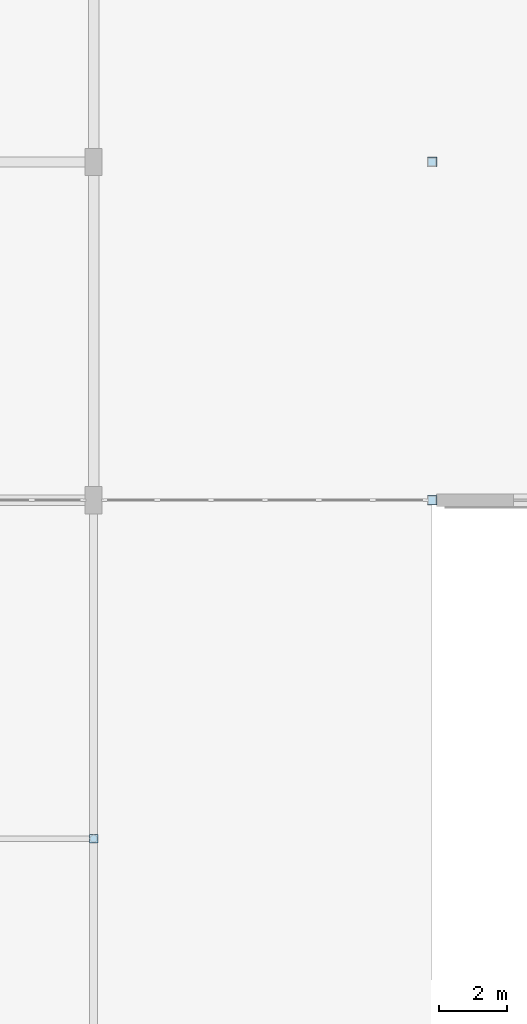
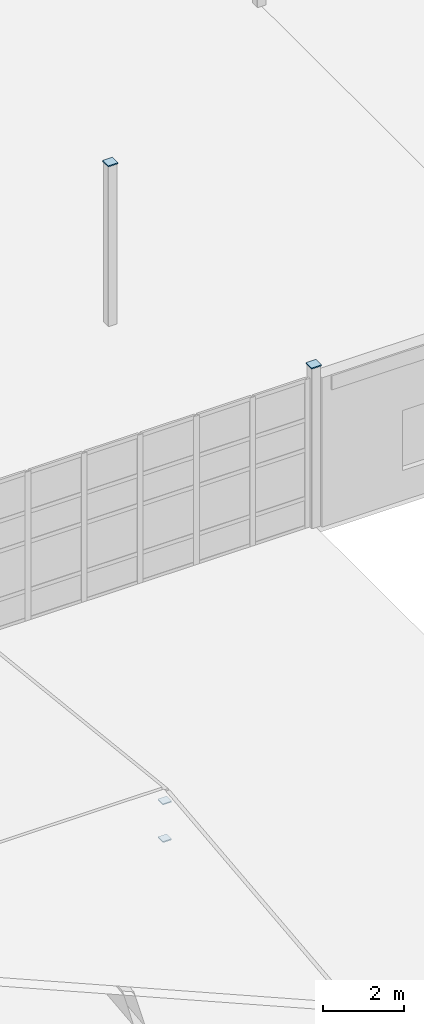
# One storey, part 107 of 139: 4 plates.
"""IFC4 building model written with IfcOpenShell, lengths in metres."""

from ifc_helpers import new_model, si_unit, direction, frame, origin, origin_2d, place, context, subcontext, project, spatial, rectangle, extrude, material, layer, layer_set, type_object, element, save


model = new_model("IFC4")

# Units and contexts
model_context = context("Model", 3, precision=1e-05, world=origin(), true_north=direction((0.0, 1.0)))
body_context = subcontext(model_context, "Body", "Model", "MODEL_VIEW")
ifc_project = project(units=[si_unit("LENGTHUNIT", "METRE"), si_unit("AREAUNIT", "SQUARE_METRE"), si_unit("VOLUMEUNIT", "CUBIC_METRE"), si_unit("PLANEANGLEUNIT", "RADIAN"), si_unit("MASSUNIT", "GRAM", prefix="KILO"), si_unit("THERMODYNAMICTEMPERATUREUNIT", "KELVIN"), si_unit("POWERUNIT", "WATT")], contexts=[model_context])

# Site, building, storey
site_placement = place(None, origin())
site = spatial("IfcSite", under=ifc_project, at=site_placement, CompositionType="ELEMENT")
building_placement = place(site_placement, origin())
building = spatial("IfcBuilding", under=site, at=building_placement, Name="Korenveer Ferry Terminal", CompositionType="ELEMENT")
storey_placement = place(building_placement, frame((0.0, 0.0, 5.39990234375)))
storey = spatial("IfcBuildingStorey", under=building, at=storey_placement, Name="L01", CompositionType="ELEMENT", Elevation=5.39990234375)

# Plates
ifc_material = material(Name="Steel S355", Category="steel")
ifc_layer = layer(ifc_material, 0.031982421875)
ifc_layer_set = layer_set([ifc_layer], Name="Steel S355")
plate_type = type_object("IfcPlateType", Name="STR-PLT-CAP32", PredefinedType="USERDEFINED", material=ifc_layer_set)
for number, where, z_axis, x_axis, name in (
    (1, (63.0, 20.0, 4.80029296875), (0.0, 0.0, 1.0), (1.0, 0.0, 0.0), "Hollow section end cap 48"),
    (2, (63.0, 30.0, 4.80029296875), (0.0, 0.0, 1.0), (1.0, 0.0, 0.0), "Hollow section end cap 49"),
):
    element("IfcPlate", number, at=place(storey_placement, frame(where, z_axis=z_axis, x_axis=x_axis)), inside=storey, type_object=plate_type, Name=name, ObjectType="END CAP PLATE", PredefinedType="USERDEFINED", context=body_context, shape_type="SweptSolid", body=[
        extrude(rectangle(XDim=0.280029296875, YDim=0.280029296875, at=origin_2d()), origin(), (0.0, 0.0, 1.0), 0.031982421875),
    ])
for number, where, z_axis, x_axis, name in (
    (3, (53.0, 10.0, 0.14794921875), (0.0, 0.0, 1.0), (1.0, 0.0, 0.0), "Hollow section end cap 528"),
    (4, (53.0, 10.0, 1.2802734375), (0.0, 0.0, 1.0), (1.0, 0.0, 0.0), "Hollow section end cap 529"),
):
    element("IfcPlate", number, at=place(storey_placement, frame(where, z_axis=z_axis, x_axis=x_axis)), inside=storey, type_object=plate_type, Name=name, ObjectType="END CAP PLATE", PredefinedType="USERDEFINED", context=body_context, shape_type="SweptSolid", body=[
        extrude(rectangle(XDim=0.2490234375, YDim=0.2490234375, at=origin_2d()), origin(), (0.0, 0.0, 1.0), 0.031982421875),
    ])

save(model, "model.ifc")
